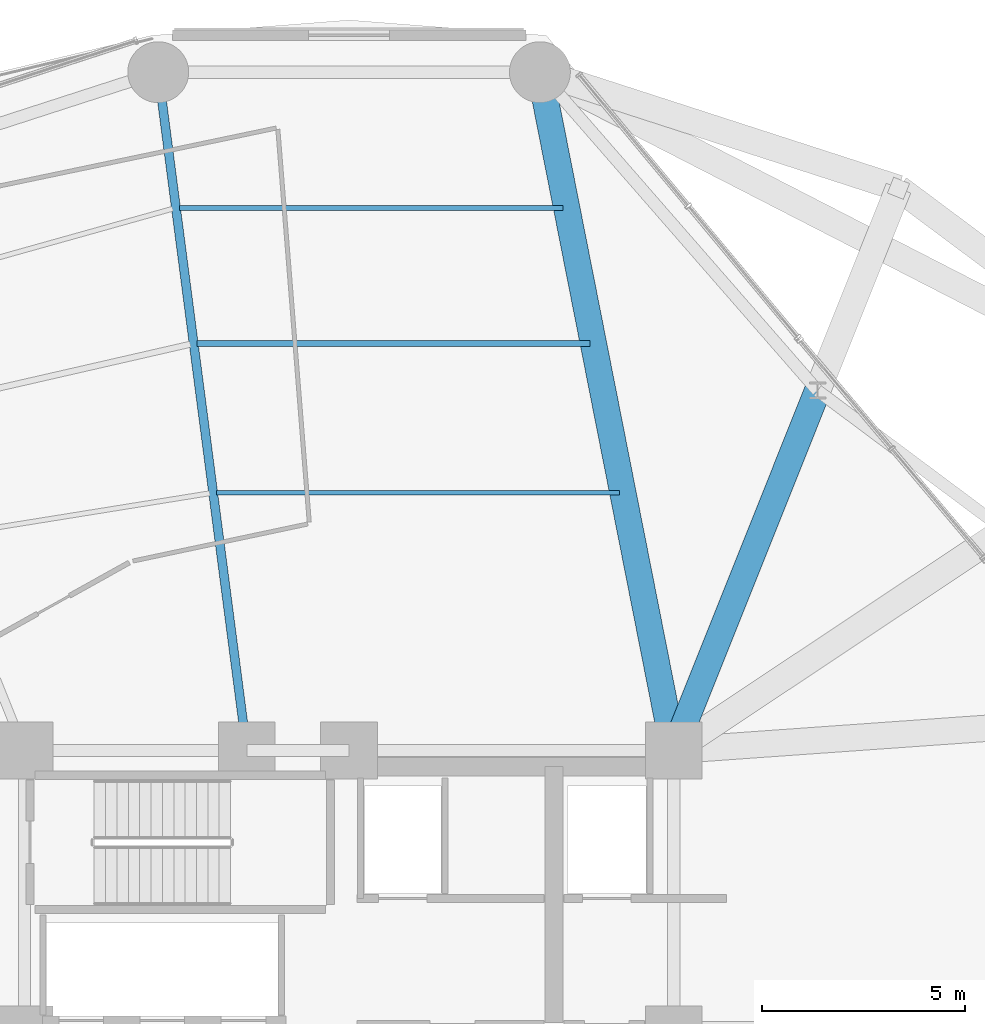
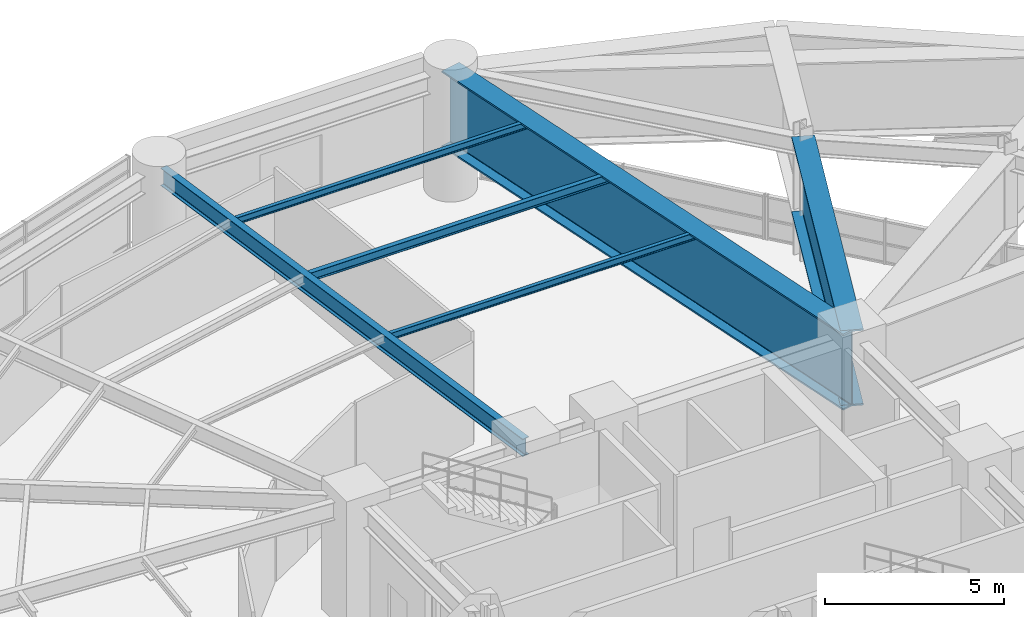
# One storey, part 32 of 52: 6 beams.
"""IFC4 building model written with IfcOpenShell, lengths in metres."""

from ifc_helpers import new_model, si_unit, direction, frame, origin, origin_2d, place, context, subcontext, project, spatial, i_section, extrude, material, material_profile, profile_set, type_object, element, save


model = new_model("IFC4")

# Units and contexts
model_context = context("Model", 3, precision=1e-05, world=origin(), true_north=direction((0.0, 1.0)))
body_context = subcontext(model_context, "Body", "Model", "MODEL_VIEW")
ifc_project = project(units=[si_unit("LENGTHUNIT", "METRE"), si_unit("AREAUNIT", "SQUARE_METRE"), si_unit("VOLUMEUNIT", "CUBIC_METRE"), si_unit("PLANEANGLEUNIT", "RADIAN"), si_unit("MASSUNIT", "GRAM", prefix="KILO")], contexts=[model_context])

# Site, building, storey
site_placement = place(None, origin())
site = spatial("IfcSite", under=ifc_project, at=site_placement, CompositionType="ELEMENT")
building_placement = place(site_placement, origin())
building = spatial("IfcBuilding", under=site, at=building_placement, Name="Kelanora Arch Commons", CompositionType="ELEMENT")
storey_placement = place(building_placement, frame((0.0, 0.0, 13.5)))
storey = spatial("IfcBuildingStorey", under=building, at=storey_placement, Name="L03", CompositionType="ELEMENT", Elevation=13.5)

# Beams
ifc_material = material(Name="Steel S355", Category="steel")
ifc_material_profile_1 = material_profile(ifc_material, i_section(OverallWidth=0.14990234375, OverallDepth=0.300048828125, WebThickness=0.007080078125, FlangeThickness=0.0107421875, FilletRadius=0.014892578125, at=origin_2d()), Name="IPE300")
ifc_profile_set_1 = profile_set([ifc_material_profile_1], Name="Steel S355")
beam_type_1 = type_object("IfcBeamType", Name="BM-JST-01", PredefinedType="JOIST", material=ifc_profile_set_1)
beam_1_placement = place(storey_placement, frame((79.936279296875, 75.028564453125, 3.949951171875), z_axis=(-1.0, 0.0, 0.0), x_axis=(0.0, -1.0, 0.0)))
element("IfcBeam", 1, at=beam_1_placement, inside=storey, type_object=beam_type_1, Name="Secondary Chord Joist BJB-08 L03", PredefinedType="JOIST", context=body_context, shape_type="SweptSolid", body=[
    extrude(i_section(OverallWidth=0.14990234375, OverallDepth=0.300048828125, WebThickness=0.007080078125, FlangeThickness=0.0107421875, FilletRadius=0.014892578125, at=origin_2d()), origin(), (0.0, 0.0, 1.0), 9.6806640625),
])
ifc_material_profile_2 = material_profile(ifc_material, i_section(OverallWidth=0.1201171875, OverallDepth=0.239990234375, WebThickness=0.006103515625, FlangeThickness=0.009765625, FilletRadius=0.014892578125, at=origin_2d()), Name="IPE240")
ifc_profile_set_2 = profile_set([ifc_material_profile_2], Name="Steel S355")
beam_type_2 = type_object("IfcBeamType", Name="BM-JST-02", PredefinedType="JOIST", material=ifc_profile_set_2)
beam_2_placement = place(storey_placement, frame((80.661865234375, 71.351318359375, 3.97998046875), z_axis=(-1.0, 0.0, 0.0), x_axis=(0.0, -1.0, 0.0)))
element("IfcBeam", 2, at=beam_2_placement, inside=storey, type_object=beam_type_2, Name="Secondary Chord Joist BJA-08 L03", PredefinedType="JOIST", context=body_context, shape_type="SweptSolid", body=[
    extrude(i_section(OverallWidth=0.1201171875, OverallDepth=0.239990234375, WebThickness=0.006103515625, FlangeThickness=0.009765625, FilletRadius=0.014892578125, at=origin_2d()), origin(), (0.0, 0.0, 1.0), 9.92626953125),
])
beam_3_placement = place(storey_placement, frame((79.27685546875, 78.371337890625, 3.97998046875), z_axis=(-1.0, 0.0, 0.0), x_axis=(0.0, -1.0, 0.0)))
element("IfcBeam", 3, at=beam_3_placement, inside=storey, type_object=beam_type_2, Name="Secondary Chord Joist BJC-08 L03", PredefinedType="JOIST", context=body_context, shape_type="SweptSolid", body=[
    extrude(i_section(OverallWidth=0.1201171875, OverallDepth=0.239990234375, WebThickness=0.006103515625, FlangeThickness=0.009765625, FilletRadius=0.014892578125, at=origin_2d()), origin(), (0.0, 0.0, 1.0), 9.457763671875),
])
ifc_material_profile_3 = material_profile(ifc_material, i_section(OverallWidth=0.219970703125, OverallDepth=0.60009765625, WebThickness=0.011962890625, FlangeThickness=0.01904296875, FilletRadius=0.02392578125, at=origin_2d()), Name="IPE600")
ifc_profile_set_3 = profile_set([ifc_material_profile_3], Name="Steel S355")
beam_type_3 = type_object("IfcBeamType", Name="BM-RAD-Z1", PredefinedType="BEAM", material=ifc_profile_set_3)
beam_4_placement = place(storey_placement, frame((71.47998046875, 65.0, 3.800048828125), z_axis=(-0.129465914729, 0.991583872864, 0.0), x_axis=(-0.991583872864, -0.129465914729, 0.0)))
element("IfcBeam", 4, at=beam_4_placement, inside=storey, type_object=beam_type_3, Name="Radial Floor Girder BR-10 L03", PredefinedType="BEAM", context=body_context, shape_type="SweptSolid", body=[
    extrude(i_section(OverallWidth=0.219970703125, OverallDepth=0.60009765625, WebThickness=0.011962890625, FlangeThickness=0.01904296875, FilletRadius=0.02392578125, at=origin_2d()), origin(), (0.0, 0.0, 1.0), 16.635986328125),
])
ifc_material_profile_4 = material_profile(ifc_material, i_section(OverallWidth=0.64990234375, OverallDepth=2.60009765625, WebThickness=0.034912109375, FlangeThickness=0.054931640625, FilletRadius=0.028076171875, at=origin_2d()), Name="PG2600x650")
ifc_profile_set_4 = profile_set([ifc_material_profile_4], Name="Steel S355")
beam_type_4 = type_object("IfcBeamType", Name="BM-XFER-ARCH", PredefinedType="USERDEFINED", material=ifc_profile_set_4)
beam_5_placement = place(storey_placement, frame((82.0, 65.0, 2.800048828125), z_axis=(0.371306921468, 0.928510188458, 0.0), x_axis=(-0.928510188458, 0.371306921468, 0.0)))
element("IfcBeam", 5, at=beam_5_placement, inside=storey, type_object=beam_type_4, Name="Radial Inner Transfer Girder BRI-06 L03", ObjectType="TRANSFER_GIRDER", PredefinedType="USERDEFINED", context=body_context, shape_type="SweptSolid", body=[
    extrude(i_section(OverallWidth=0.64990234375, OverallDepth=2.60009765625, WebThickness=0.034912109375, FlangeThickness=0.054931640625, FilletRadius=0.028076171875, at=origin_2d()), origin(), (0.0, 0.0, 1.0), 9.549072265625),
])
beam_6_placement = place(storey_placement, frame((82.0, 65.0, 2.800048828125), z_axis=(-0.19356352044, 0.981087745084, 0.0), x_axis=(-0.981087745084, -0.19356352044, 0.0)))
element("IfcBeam", 6, at=beam_6_placement, inside=storey, type_object=beam_type_4, Name="Radial Floor Girder BR-08 L03", ObjectType="TRANSFER_GIRDER", PredefinedType="USERDEFINED", context=body_context, shape_type="SweptSolid", body=[
    extrude(i_section(OverallWidth=0.64990234375, OverallDepth=2.60009765625, WebThickness=0.034912109375, FlangeThickness=0.054931640625, FilletRadius=0.028076171875, at=origin_2d()), origin(), (0.0, 0.0, 1.0), 17.036376953125),
])

save(model, "model.ifc")
